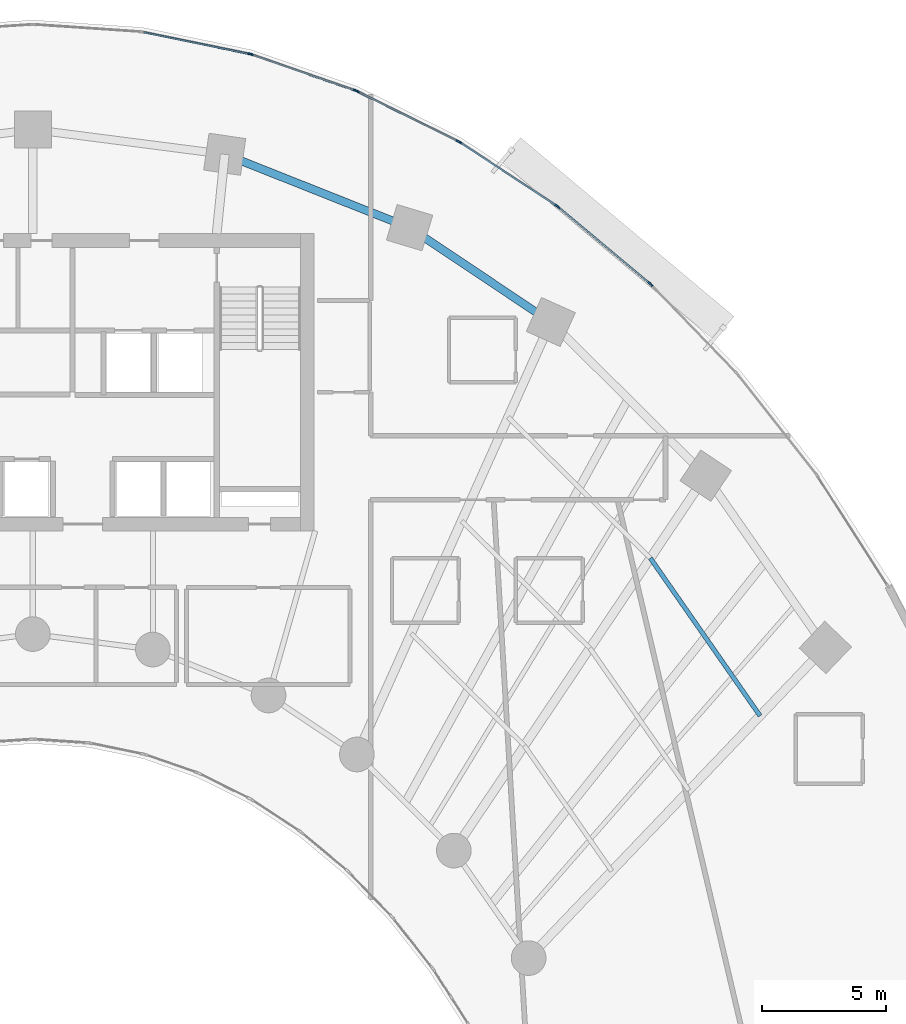
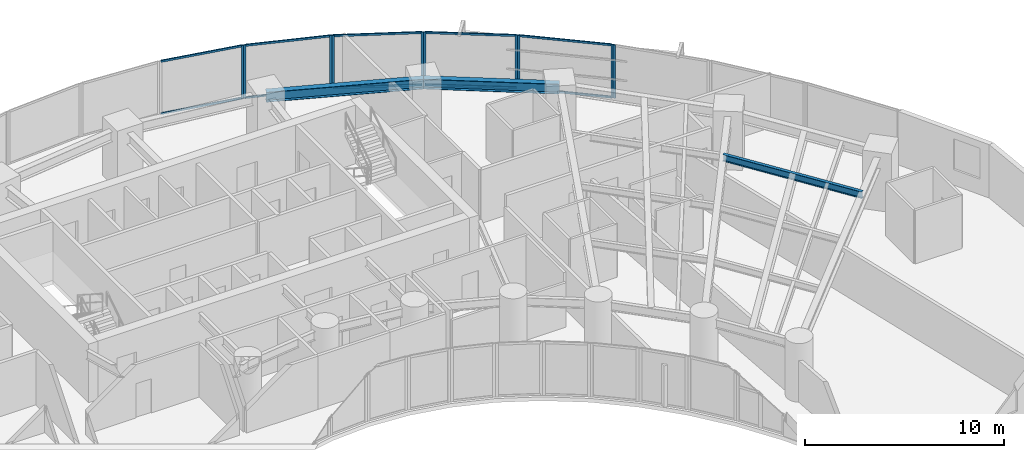
# One storey, part 7 of 17: 20 members, 3 beams, 6 elements without a shape of their own.
"""IFC4 building model written with IfcOpenShell, lengths in metres."""

import ifcopenshell
import ifcopenshell.guid

model = None  # the IFC model being written
_history = None  # IfcOwnerHistory: only IFC2X3 demands one
_inside = {}  # id of a spatial element -> (the spatial element, [elements in it])
_under = {}  # id of a project, library or spatial element -> (it, [spatial elements below it])
_declared = {}  # id of a project -> (the project, [libraries it declares])
_typed = {}  # id of a type object -> (the type object, [elements of that type])
_made_of = {}  # id of a material, layer set ... -> (it, [elements and type objects made of it])


def new_model(schema):
    """Start an empty IFC model of exactly this schema.

    Asked for "IFC4X3", IfcOpenShell would pick the latest addendum, in which some entities
    have other attributes; the version numbers below select the first issue.
    IFC2X3 requires an IfcOwnerHistory on every rooted entity: one is made here for all.
    """
    global model, _history
    if schema == "IFC4X3":
        model = ifcopenshell.file(schema_version=(4, 3, 0, 0))
    else:
        model = ifcopenshell.file(schema=schema)
    _inside.clear()
    _under.clear()
    _declared.clear()
    _typed.clear()
    _made_of.clear()
    _history = None
    if model.schema == "IFC2X3":
        org = make("IfcOrganization", Name="unknown")
        user = make(
            "IfcPersonAndOrganization",
            ThePerson=make("IfcPerson", FamilyName="unknown"),
            TheOrganization=org,
        )
        app = make(
            "IfcApplication",
            ApplicationDeveloper=org,
            Version="unknown",
            ApplicationFullName="unknown",
            ApplicationIdentifier="unknown",
        )
        _history = make(
            "IfcOwnerHistory",
            OwningUser=user,
            OwningApplication=app,
            ChangeAction="ADDED",
            CreationDate=0,
        )
    return model


def make(cls, **values):
    """One entity of the class cls with the attributes given. An attribute that is None is left unset."""
    return model.create_entity(
        cls, **{name: value for name, value in values.items() if value is not None}
    )


def rooted(cls, **values):
    """An entity with a GlobalId (a new one), such as an element, a storey or a relation."""
    return make(cls, GlobalId=ifcopenshell.guid.new(), OwnerHistory=_history, **values)


def si_unit(unit_type, name, prefix=None):
    """IfcSIUnit, for example si_unit("LENGTHUNIT", "METRE", prefix="MILLI")."""
    return make("IfcSIUnit", UnitType=unit_type, Prefix=prefix, Name=name)


def assignment(units):
    """IfcUnitAssignment: the units of a project."""
    return None if units is None else make("IfcUnitAssignment", Units=units)


def point(xyz):
    """IfcCartesianPoint."""
    return None if xyz is None else make("IfcCartesianPoint", Coordinates=xyz)


def direction(xyz):
    """IfcDirection."""
    return None if xyz is None else make("IfcDirection", DirectionRatios=xyz)


def frame(location, z_axis=None, x_axis=None):
    """IfcAxis2Placement3D, a coordinate frame: its origin and axes. An axis left out is left unset."""
    return make(
        "IfcAxis2Placement3D",
        Location=point(location),
        Axis=direction(z_axis),
        RefDirection=direction(x_axis),
    )


def frame_2d(location, x_axis=None):
    """IfcAxis2Placement2D, a coordinate frame in the plane: its origin and x axis."""
    return make(
        "IfcAxis2Placement2D", Location=point(location), RefDirection=direction(x_axis)
    )


def origin():
    """The frame at (0, 0, 0) with its axes left unset."""
    return frame((0.0, 0.0, 0.0))


def origin_2d():
    """The frame at (0, 0) in the plane with its x axis left unset."""
    return frame_2d((0.0, 0.0))


def place(relative_to, where):
    """IfcLocalPlacement: puts the frame where relative to a parent placement (None: the world)."""
    return make(
        "IfcLocalPlacement", PlacementRelTo=relative_to, RelativePlacement=where
    )


def context(
    kind, dimensions, precision=None, world=None, true_north=None, identifier=None
):
    """IfcGeometricRepresentationContext, for example the 3D "Model" context."""
    return make(
        "IfcGeometricRepresentationContext",
        ContextIdentifier=identifier,
        ContextType=kind,
        CoordinateSpaceDimension=dimensions,
        Precision=precision,
        WorldCoordinateSystem=world,
        TrueNorth=true_north,
    )


def subcontext(parent, identifier, kind, view, scale=None):
    """IfcGeometricRepresentationSubContext, for example "Body" below "Model"."""
    return make(
        "IfcGeometricRepresentationSubContext",
        ContextIdentifier=identifier,
        ContextType=kind,
        ParentContext=parent,
        TargetScale=scale,
        TargetView=view,
    )


def project(units=None, contexts=None):
    """IfcProject with its units and contexts."""
    return rooted(
        "IfcProject",
        Name="project",
        RepresentationContexts=contexts,
        UnitsInContext=assignment(units),
    )


def spatial(cls, under=None, at=None, **own):
    """A site, building, storey or space (cls), placed at a placement, below another one or the project."""
    s = rooted(cls, ObjectPlacement=at, **own)
    if under is not None:
        _under.setdefault(under.id(), (under, []))[1].append(s)
    return s


def profile(cls, at=None, kind="AREA", **sizes):
    """A parametric profile (cls). Its sizes go by their IFC names, for example OverallWidth=200.0."""
    return make(cls, ProfileType=kind, Position=at, **sizes)


def rectangle(**sizes):
    """IfcRectangleProfileDef."""
    return profile("IfcRectangleProfileDef", **sizes)


def i_section(**sizes):
    """IfcIShapeProfileDef."""
    return profile("IfcIShapeProfileDef", **sizes)


def extrude(swept, where, along, depth):
    """IfcExtrudedAreaSolid: the profile swept, set in the frame where, extruded along a direction by depth."""
    return make(
        "IfcExtrudedAreaSolid",
        SweptArea=swept,
        Position=where,
        ExtrudedDirection=direction(along),
        Depth=depth,
    )


def shape(context_of_items, identifier, shape_type, items):
    """IfcShapeRepresentation: the items that make up one representation, for example the "Body"."""
    return make(
        "IfcShapeRepresentation",
        ContextOfItems=context_of_items,
        RepresentationIdentifier=identifier,
        RepresentationType=shape_type,
        Items=items,
    )


def source(mapping_origin, context_of_items, identifier, shape_type, items):
    """IfcRepresentationMap: a shape defined once, which mapped items show again and again."""
    return make(
        "IfcRepresentationMap",
        MappingOrigin=mapping_origin,
        MappedRepresentation=shape(context_of_items, identifier, shape_type, items),
    )


def transform(
    local_origin,
    x_axis=None,
    y_axis=None,
    z_axis=None,
    scale=None,
    scale2=None,
    scale3=None,
    uniform=True,
):
    """IfcCartesianTransformationOperator3D, or its non-uniform kind. x_axis, y_axis, z_axis: its Axis1, 2, 3."""
    if uniform:
        return make(
            "IfcCartesianTransformationOperator3D",
            Axis1=direction(x_axis),
            Axis2=direction(y_axis),
            LocalOrigin=point(local_origin),
            Scale=scale,
            Axis3=direction(z_axis),
        )
    return make(
        "IfcCartesianTransformationOperator3DnonUniform",
        Axis1=direction(x_axis),
        Axis2=direction(y_axis),
        LocalOrigin=point(local_origin),
        Scale=scale,
        Axis3=direction(z_axis),
        Scale2=scale2,
        Scale3=scale3,
    )


def mapped(mapping_source, mapping_target):
    """IfcMappedItem: shows the shape of a source again, moved by a transform."""
    return make(
        "IfcMappedItem", MappingSource=mapping_source, MappingTarget=mapping_target
    )


def material(Name=None, Category=None):
    """IfcMaterial."""
    return make("IfcMaterial", Name=Name, Category=Category)


def layer(
    of_material, thickness, ventilated=None, Name=None, Category=None, Priority=None
):
    """IfcMaterialLayer: one layer of a wall or slab, of a material (None: an air gap)."""
    return make(
        "IfcMaterialLayer",
        Material=of_material,
        LayerThickness=thickness,
        IsVentilated=ventilated,
        Name=Name,
        Category=Category,
        Priority=Priority,
    )


def layer_set(layers, Name=None):
    """IfcMaterialLayerSet."""
    return make("IfcMaterialLayerSet", MaterialLayers=layers, LayerSetName=Name)


def material_profile(
    of_material, cross_section, Name=None, Category=None, Priority=None
):
    """IfcMaterialProfile: a cross section and its material."""
    return make(
        "IfcMaterialProfile",
        Name=Name,
        Material=of_material,
        Profile=cross_section,
        Priority=Priority,
        Category=Category,
    )


def profile_set(profiles, Name=None, composite=None):
    """IfcMaterialProfileSet."""
    return make(
        "IfcMaterialProfileSet",
        Name=Name,
        MaterialProfiles=profiles,
        CompositeProfile=composite,
    )


def made_of(thing, what):
    """Note that an element or type object is made of a material, layer set ...; save() writes the relation."""
    if what is not None:
        _made_of.setdefault(what.id(), (what, []))[1].append(thing)
    return thing


def type_object(cls, material=None, **own):
    """A type object (cls), such as IfcWallType, which elements share."""
    return made_of(rooted(cls, **own), material)


def element(
    cls,
    number,
    at=None,
    inside=None,
    cuts=None,
    type_object=None,
    material=None,
    context=None,
    identifier="Body",
    shape_type=None,
    held_by="IfcProductDefinitionShape",
    body=None,
    shapes=None,
    **own,
):
    """One element of the class cls, such as IfcWall. Its Tag is "e" and its number.

    at: its placement. inside: the storey or other place that contains it. cuts: it is an
    opening in that element (IfcRelVoidsElement). A single representation is given by context,
    identifier, shape_type and body (its items); several are given by shapes. held_by: the class
    of the entity that holds the representations. save() writes the other relations.
    """
    e = rooted(cls, Tag="e%d" % number, ObjectPlacement=at, **own)
    if body is not None:
        shapes = [shape(context, identifier, shape_type, body)]
    if shapes is not None:
        e.Representation = make(held_by, Representations=shapes)
    if inside is not None:
        _inside.setdefault(inside.id(), (inside, []))[1].append(e)
    if cuts is not None:
        rooted(
            "IfcRelVoidsElement", RelatingBuildingElement=cuts, RelatedOpeningElement=e
        )
    if type_object is not None:
        _typed.setdefault(type_object.id(), (type_object, []))[1].append(e)
    return made_of(e, material)


def aggregate(whole, parts):
    """IfcRelAggregates: a whole, such as a stair, and the parts it consists of."""
    return rooted("IfcRelAggregates", RelatingObject=whole, RelatedObjects=parts)


def save(model, path):
    """Write the relations noted so far, then the file.

    IfcRelAggregates (storeys below a building ...), IfcRelContainedInSpatialStructure (elements
    in a storey), IfcRelDefinesByType, IfcRelAssociatesMaterial and IfcRelDeclares: one each for
    every whole, place, type object, material and project.
    """
    for whole, parts in _under.values():
        aggregate(whole, parts)
    for where, things in _inside.values():
        rooted(
            "IfcRelContainedInSpatialStructure",
            RelatedElements=things,
            RelatingStructure=where,
        )
    for kind, things in _typed.values():
        rooted("IfcRelDefinesByType", RelatedObjects=things, RelatingType=kind)
    for what, things in _made_of.values():
        rooted("IfcRelAssociatesMaterial", RelatedObjects=things, RelatingMaterial=what)
    for by, libraries in _declared.values():
        rooted("IfcRelDeclares", RelatingContext=by, RelatedDefinitions=libraries)
    model.write(path)


model = new_model("IFC4")

# Units and contexts
model_context = context("Model", 3, precision=1e-05, world=origin(), true_north=direction((0.0, 1.0)))
body_context = subcontext(model_context, "Body", "Model", "MODEL_VIEW")
ifc_project = project(units=[si_unit("LENGTHUNIT", "METRE"), si_unit("AREAUNIT", "SQUARE_METRE"), si_unit("VOLUMEUNIT", "CUBIC_METRE"), si_unit("PLANEANGLEUNIT", "RADIAN"), si_unit("MASSUNIT", "GRAM", prefix="KILO")], contexts=[model_context])

# Site, building, storey
site_placement = place(None, origin())
site = spatial("IfcSite", under=ifc_project, at=site_placement, CompositionType="ELEMENT")
building_placement = place(site_placement, origin())
building = spatial("IfcBuilding", under=site, at=building_placement, Name="Breltana Convention Tower", CompositionType="ELEMENT")
storey_placement = place(building_placement, frame((0.0, 0.0, 82.199951171875)))
storey = spatial("IfcBuildingStorey", under=building, at=storey_placement, Name="L19", CompositionType="ELEMENT", Elevation=82.199951171875)

# Beams
ifc_material_1 = material(Name="Steel ASTM A992 Grade 50", Category="steel")
ifc_material_profile_1 = material_profile(ifc_material_1, i_section(OverallWidth=0.323974609375, OverallDepth=0.611083984375, WebThickness=0.0126953125, FlangeThickness=0.01904296875, at=origin_2d()), Name="W24X104")
ifc_profile_set_1 = profile_set([ifc_material_profile_1], Name="Steel ASTM A992 Grade 50")
beam_type_1 = type_object("IfcBeamType", Name="BM-SP-W24X104", PredefinedType="SPANDREL", material=ifc_profile_set_1)
shared_shape_1 = source(origin(), body_context, "Body", "SweptSolid", [
    extrude(i_section(OverallWidth=0.323974609375, OverallDepth=0.611083984375, WebThickness=0.0126953125, FlangeThickness=0.01904296875, at=origin_2d()), origin(), (0.0, 0.0, 1.0), 8.028564453125),
])
beam_1_placement = place(storey_placement, frame((55.746826171875, 75.404296875, 2.974609375), z_axis=(0.929459100394, -0.368925169507, 0.0), x_axis=(0.368925169507, 0.929459100394, 0.0)))
element("IfcBeam", 1, at=beam_1_placement, inside=storey, type_object=beam_type_1, Name="L19 Outer Spandrel Beam 07", PredefinedType="SPANDREL", context=body_context, shape_type="MappedRepresentation", body=[
    mapped(shared_shape_1, transform((0.0, 0.0, 0.0), scale=1.0)),
])
shared_shape_2 = source(origin(), body_context, "Body", "SweptSolid", [
    extrude(i_section(OverallWidth=0.323974609375, OverallDepth=0.611083984375, WebThickness=0.0126953125, FlangeThickness=0.01904296875, at=origin_2d()), origin(), (0.0, 0.0, 1.0), 6.856689453125),
])
beam_2_placement = place(storey_placement, frame((63.208984375, 72.4423828125, 2.974609375), z_axis=(0.83150210718, -0.55552159792, 0.0), x_axis=(0.55552159792, 0.83150210718, 0.0)))
element("IfcBeam", 2, at=beam_2_placement, inside=storey, type_object=beam_type_1, Name="L19 Outer Spandrel Beam 08", PredefinedType="SPANDREL", context=body_context, shape_type="MappedRepresentation", body=[
    mapped(shared_shape_2, transform((0.0, 0.0, 0.0), scale=1.0)),
])
ifc_material_profile_2 = material_profile(ifc_material_1, i_section(OverallWidth=0.179931640625, OverallDepth=0.4130859375, WebThickness=0.009765625, FlangeThickness=0.01611328125, at=origin_2d()), Name="W16X50")
ifc_profile_set_2 = profile_set([ifc_material_profile_2], Name="Steel ASTM A992 Grade 50")
beam_type_2 = type_object("IfcBeamType", Name="BM-JSG-08", PredefinedType="JOIST", material=ifc_profile_set_2)
shared_shape_3 = source(origin(), body_context, "Body", "SweptSolid", [
    extrude(i_section(OverallWidth=0.179931640625, OverallDepth=0.4130859375, WebThickness=0.009765625, FlangeThickness=0.01611328125, at=origin_2d()), origin(), (0.0, 0.0, 1.0), 7.75390625),
])
beam_3_placement = place(storey_placement, frame((72.92919921875, 59.10009765625, 3.073486328125), z_axis=(0.57119271264, -0.820815987312, 0.0), x_axis=(0.820815987312, 0.57119271264, 0.0)))
element("IfcBeam", 3, at=beam_3_placement, inside=storey, type_object=beam_type_2, Name="L19 Composite Floor Joist 10.3", PredefinedType="JOIST", context=body_context, shape_type="MappedRepresentation", body=[
    mapped(shared_shape_3, transform((0.0, 0.0, 0.0), scale=1.0)),
])

# Curtain wall, members
ifc_material_2 = material(Name="Aluminium Anodised Bronze Frame", Category="aluminium")
ifc_layer = layer(ifc_material_2, 0.199951171875, Name="Aluminium Anodised Bronze Frame")
ifc_layer_set = layer_set([ifc_layer], Name="Aluminium Anodised Bronze Frame")
curtain_wall_type = type_object("IfcCurtainWallType", Name="CW-SYS-2", PredefinedType="NOTDEFINED", material=ifc_layer_set)
curtain_wall_1_placement = place(storey_placement, origin())
curtain_wall_1 = element("IfcCurtainWall", 4, at=curtain_wall_1_placement, inside=storey, type_object=curtain_wall_type, Name="L19 outer double-skin inner glazing 15", PredefinedType="NOTDEFINED")
ifc_material_3 = material(Name="Aluminium Anodised Bronze", Category="aluminium")
ifc_material_profile_3 = material_profile(ifc_material_3, rectangle(XDim=0.070068359375, YDim=0.1201171875, at=origin_2d()), Name="CWT-70X120")
ifc_profile_set_3 = profile_set([ifc_material_profile_3], Name="Aluminium Anodised Bronze")
member_type_1 = type_object("IfcMemberType", Name="CWT-120", PredefinedType="USERDEFINED", material=ifc_profile_set_3)
shared_shape_4 = source(origin(), body_context, "Body", "SweptSolid", [
    extrude(rectangle(XDim=0.070068359375, YDim=0.1201171875, at=origin_2d()), origin(), (0.0, 0.0, 1.0), 4.7509765625),
])
member_1_placement = place(storey_placement, frame((69.2294921875, 73.2607421875, 0.03515625), z_axis=(0.767951631807, -0.64050783852, 0.0), x_axis=(0.64050783852, 0.767951631807, 0.0)))
member_1 = element("IfcMember", 5, at=member_1_placement, type_object=member_type_1, Name="CW-02 transom 1.1", ObjectType="TRANSOM", PredefinedType="USERDEFINED", context=body_context, shape_type="MappedRepresentation", body=[
    mapped(shared_shape_4, transform((0.0, 0.0, 0.0), scale=1.0)),
])
member_2_placement = place(storey_placement, frame((69.2294921875, 73.2607421875, 3.2451171875), z_axis=(0.767951631807, -0.64050783852, 0.0), x_axis=(0.64050783852, 0.767951631807, 0.0)))
member_2 = element("IfcMember", 6, at=member_2_placement, type_object=member_type_1, Name="CW-02 transom 1.2", ObjectType="TRANSOM", PredefinedType="USERDEFINED", context=body_context, shape_type="MappedRepresentation", body=[
    mapped(shared_shape_4, transform((0.0, 0.0, 0.0), scale=1.0)),
])

curtain_wall_2_placement = place(storey_placement, origin())
curtain_wall_2 = element("IfcCurtainWall", 7, at=curtain_wall_2_placement, inside=storey, type_object=curtain_wall_type, Name="L19 outer double-skin inner glazing 14", PredefinedType="NOTDEFINED")
shared_shape_5 = source(origin(), body_context, "Body", "SweptSolid", [
    extrude(rectangle(XDim=0.070068359375, YDim=0.1201171875, at=origin_2d()), origin(), (0.0, 0.0, 1.0), 4.610595703125),
])
member_3_placement = place(storey_placement, frame((65.262939453125, 75.874267578125, 0.03515625), z_axis=(0.835956055104, -0.54879638659, 0.0), x_axis=(0.54879638659, 0.835956055104, 0.0)))
member_3 = element("IfcMember", 8, at=member_3_placement, type_object=member_type_1, Name="CW-02 transom 1.1", ObjectType="TRANSOM", PredefinedType="USERDEFINED", context=body_context, shape_type="MappedRepresentation", body=[
    mapped(shared_shape_5, transform((0.0, 0.0, 0.0), scale=1.0)),
])
member_4_placement = place(storey_placement, frame((65.262939453125, 75.874267578125, 3.2451171875), z_axis=(0.835956055104, -0.54879638659, 0.0), x_axis=(0.54879638659, 0.835956055104, 0.0)))
member_4 = element("IfcMember", 9, at=member_4_placement, type_object=member_type_1, Name="CW-02 transom 1.2", ObjectType="TRANSOM", PredefinedType="USERDEFINED", context=body_context, shape_type="MappedRepresentation", body=[
    mapped(shared_shape_5, transform((0.0, 0.0, 0.0), scale=1.0)),
])

curtain_wall_3_placement = place(storey_placement, origin())
curtain_wall_3 = element("IfcCurtainWall", 10, at=curtain_wall_3_placement, inside=storey, type_object=curtain_wall_type, Name="L19 outer double-skin inner glazing 13", PredefinedType="NOTDEFINED")
shared_shape_6 = source(origin(), body_context, "Body", "SweptSolid", [
    extrude(rectangle(XDim=0.070068359375, YDim=0.1201171875, at=origin_2d()), origin(), (0.0, 0.0, 1.0), 4.487548828125),
])
member_5_placement = place(storey_placement, frame((61.120849609375, 77.936767578125, 0.03515625), z_axis=(0.895977728863, -0.444098986017, 0.0), x_axis=(0.444098986017, 0.895977728863, 0.0)))
member_5 = element("IfcMember", 11, at=member_5_placement, type_object=member_type_1, Name="CW-02 transom 1.1", ObjectType="TRANSOM", PredefinedType="USERDEFINED", context=body_context, shape_type="MappedRepresentation", body=[
    mapped(shared_shape_6, transform((0.0, 0.0, 0.0), scale=1.0)),
])
member_6_placement = place(storey_placement, frame((61.120849609375, 77.936767578125, 3.2451171875), z_axis=(0.895977728863, -0.444098986017, 0.0), x_axis=(0.444098986017, 0.895977728863, 0.0)))
member_6 = element("IfcMember", 12, at=member_6_placement, type_object=member_type_1, Name="CW-02 transom 1.2", ObjectType="TRANSOM", PredefinedType="USERDEFINED", context=body_context, shape_type="MappedRepresentation", body=[
    mapped(shared_shape_6, transform((0.0, 0.0, 0.0), scale=1.0)),
])

curtain_wall_4_placement = place(storey_placement, origin())
curtain_wall_4 = element("IfcCurtainWall", 13, at=curtain_wall_4_placement, inside=storey, type_object=curtain_wall_type, Name="L19 outer double-skin inner glazing 12", PredefinedType="NOTDEFINED")
shared_shape_7 = source(origin(), body_context, "Body", "SweptSolid", [
    extrude(rectangle(XDim=0.070068359375, YDim=0.1201171875, at=origin_2d()), origin(), (0.0, 0.0, 1.0), 4.38818359375),
])
member_7_placement = place(storey_placement, frame((56.845703125, 79.427490234375, 0.03515625), z_axis=(0.944878203019, -0.32742202348, 0.0), x_axis=(0.32742202348, 0.944878203019, 0.0)))
member_7 = element("IfcMember", 14, at=member_7_placement, type_object=member_type_1, Name="CW-02 transom 1.1", ObjectType="TRANSOM", PredefinedType="USERDEFINED", context=body_context, shape_type="MappedRepresentation", body=[
    mapped(shared_shape_7, transform((0.0, 0.0, 0.0), scale=1.0)),
])
member_8_placement = place(storey_placement, frame((56.845703125, 79.427490234375, 3.2451171875), z_axis=(0.944878203019, -0.32742202348, 0.0), x_axis=(0.32742202348, 0.944878203019, 0.0)))
member_8 = element("IfcMember", 15, at=member_8_placement, type_object=member_type_1, Name="CW-02 transom 1.2", ObjectType="TRANSOM", PredefinedType="USERDEFINED", context=body_context, shape_type="MappedRepresentation", body=[
    mapped(shared_shape_7, transform((0.0, 0.0, 0.0), scale=1.0)),
])

curtain_wall_5_placement = place(storey_placement, origin())
curtain_wall_5 = element("IfcCurtainWall", 16, at=curtain_wall_5_placement, inside=storey, type_object=curtain_wall_type, Name="L19 outer double-skin inner glazing 11", PredefinedType="NOTDEFINED")
shared_shape_8 = source(origin(), body_context, "Body", "SweptSolid", [
    extrude(rectangle(XDim=0.070068359375, YDim=0.1201171875, at=origin_2d()), origin(), (0.0, 0.0, 1.0), 4.318359375),
])
member_9_placement = place(storey_placement, frame((52.480712890625, 80.33203125, 0.03515625), z_axis=(0.979616680923, -0.200875977799, 0.0), x_axis=(0.200875977799, 0.979616680923, 0.0)))
member_9 = element("IfcMember", 17, at=member_9_placement, type_object=member_type_1, Name="CW-02 transom 1.1", ObjectType="TRANSOM", PredefinedType="USERDEFINED", context=body_context, shape_type="MappedRepresentation", body=[
    mapped(shared_shape_8, transform((0.0, 0.0, 0.0), scale=1.0)),
])
member_10_placement = place(storey_placement, frame((52.480712890625, 80.33203125, 3.2451171875), z_axis=(0.979616680923, -0.200875977799, 0.0), x_axis=(0.200875977799, 0.979616680923, 0.0)))
member_10 = element("IfcMember", 18, at=member_10_placement, type_object=member_type_1, Name="CW-02 transom 1.2", ObjectType="TRANSOM", PredefinedType="USERDEFINED", context=body_context, shape_type="MappedRepresentation", body=[
    mapped(shared_shape_8, transform((0.0, 0.0, 0.0), scale=1.0)),
])
ifc_material_profile_4 = material_profile(ifc_material_3, rectangle(XDim=0.070068359375, YDim=0.175048828125, at=origin_2d()), Name="CWM-70X175")
ifc_profile_set_4 = profile_set([ifc_material_profile_4], Name="Aluminium Anodised Bronze")
member_type_2 = type_object("IfcMemberType", Name="CWM-175", PredefinedType="MULLION", material=ifc_profile_set_4)
shared_shape_9 = source(origin(), body_context, "Body", "SweptSolid", [
    extrude(rectangle(XDim=0.070068359375, YDim=0.175048828125, at=origin_2d()), origin(), (0.0, 0.0, 1.0), 3.280029296875),
])
member_11_placement = place(storey_placement, frame((56.7451171875, 79.45751953125, 0.0), z_axis=(0.0, 0.0, 1.0), x_axis=(0.200884537139, 0.979614925743, 0.0)))
member_11 = element("IfcMember", 19, at=member_11_placement, type_object=member_type_2, Name="CW-02 mullion 2", PredefinedType="MULLION", context=body_context, shape_type="MappedRepresentation", body=[
    mapped(shared_shape_9, transform((0.0, 0.0, 0.0), scale=1.0)),
])
aggregate(curtain_wall_5, [member_11, member_9, member_10])

# Member
member_12_placement = place(storey_placement, frame((56.8125, 79.43896484375, 0.0), z_axis=(0.0, 0.0, 1.0), x_axis=(0.32742834581, 0.944876012163, 0.0)))
member_12 = element("IfcMember", 20, at=member_12_placement, type_object=member_type_2, Name="CW-02 mullion 1", PredefinedType="MULLION", context=body_context, shape_type="MappedRepresentation", body=[
    mapped(shared_shape_9, transform((0.0, 0.0, 0.0), scale=1.0)),
])

member_13_placement = place(storey_placement, frame((61.025146484375, 77.979248046875, 0.0), z_axis=(0.0, 0.0, 1.0), x_axis=(0.32742834581, 0.944876012163, 0.0)))
member_13 = element("IfcMember", 21, at=member_13_placement, type_object=member_type_2, Name="CW-02 mullion 2", PredefinedType="MULLION", context=body_context, shape_type="MappedRepresentation", body=[
    mapped(shared_shape_9, transform((0.0, 0.0, 0.0), scale=1.0)),
])

aggregate(curtain_wall_4, [member_12, member_13, member_7, member_8])

member_14_placement = place(storey_placement, frame((61.089599609375, 77.9521484375, 0.0), z_axis=(0.0, 0.0, 1.0), x_axis=(0.444107703726, 0.895973407804, 0.0)))
member_14 = element("IfcMember", 22, at=member_14_placement, type_object=member_type_2, Name="CW-02 mullion 1", PredefinedType="MULLION", context=body_context, shape_type="MappedRepresentation", body=[
    mapped(shared_shape_9, transform((0.0, 0.0, 0.0), scale=1.0)),
])

member_15_placement = place(storey_placement, frame((65.1728515625, 75.92822265625, 0.0), z_axis=(0.0, 0.0, 1.0), x_axis=(0.444107703726, 0.895973407804, 0.0)))
member_15 = element("IfcMember", 23, at=member_15_placement, type_object=member_type_2, Name="CW-02 mullion 2", PredefinedType="MULLION", context=body_context, shape_type="MappedRepresentation", body=[
    mapped(shared_shape_9, transform((0.0, 0.0, 0.0), scale=1.0)),
])

aggregate(curtain_wall_3, [member_14, member_15, member_5, member_6])

member_16_placement = place(storey_placement, frame((65.233642578125, 75.8935546875, 0.0), z_axis=(0.0, 0.0, 1.0), x_axis=(0.548784255746, 0.83596401875, 0.0)))
member_16 = element("IfcMember", 24, at=member_16_placement, type_object=member_type_2, Name="CW-02 mullion 1", PredefinedType="MULLION", context=body_context, shape_type="MappedRepresentation", body=[
    mapped(shared_shape_9, transform((0.0, 0.0, 0.0), scale=1.0)),
])

member_17_placement = place(storey_placement, frame((69.146484375, 73.32470703125, 0.0), z_axis=(0.0, 0.0, 1.0), x_axis=(0.548784255746, 0.83596401875, 0.0)))
member_17 = element("IfcMember", 25, at=member_17_placement, type_object=member_type_2, Name="CW-02 mullion 2", PredefinedType="MULLION", context=body_context, shape_type="MappedRepresentation", body=[
    mapped(shared_shape_9, transform((0.0, 0.0, 0.0), scale=1.0)),
])

aggregate(curtain_wall_2, [member_16, member_17, member_3, member_4])

member_18_placement = place(storey_placement, frame((69.20263671875, 73.283203125, 0.0), z_axis=(0.0, 0.0, 1.0), x_axis=(0.640520193554, 0.767941326958, 0.0)))
member_18 = element("IfcMember", 26, at=member_18_placement, type_object=member_type_2, Name="CW-02 mullion 1", PredefinedType="MULLION", context=body_context, shape_type="MappedRepresentation", body=[
    mapped(shared_shape_9, transform((0.0, 0.0, 0.0), scale=1.0)),
])

member_19_placement = place(storey_placement, frame((72.90478515625, 70.1953125, 0.0), z_axis=(0.0, 0.0, 1.0), x_axis=(0.640520193554, 0.767941326958, 0.0)))
member_19 = element("IfcMember", 27, at=member_19_placement, type_object=member_type_2, Name="CW-02 mullion 2", PredefinedType="MULLION", context=body_context, shape_type="MappedRepresentation", body=[
    mapped(shared_shape_9, transform((0.0, 0.0, 0.0), scale=1.0)),
])

aggregate(curtain_wall_1, [member_18, member_19, member_1, member_2])

# Curtain wall, member
curtain_wall_6_placement = place(storey_placement, origin())
curtain_wall_6 = element("IfcCurtainWall", 28, at=curtain_wall_6_placement, inside=storey, type_object=curtain_wall_type, Name="L19 outer double-skin inner glazing 16", PredefinedType="NOTDEFINED")
member_20_placement = place(storey_placement, frame((72.955810546875, 70.147705078125, 0.0), z_axis=(0.0, 0.0, 1.0), x_axis=(0.719386421003, 0.694610090106, 0.0)))
member_20 = element("IfcMember", 29, at=member_20_placement, type_object=member_type_2, Name="CW-02 mullion 1", PredefinedType="MULLION", context=body_context, shape_type="MappedRepresentation", body=[
    mapped(shared_shape_9, transform((0.0, 0.0, 0.0), scale=1.0)),
])
aggregate(curtain_wall_6, [member_20])

save(model, "model.ifc")
